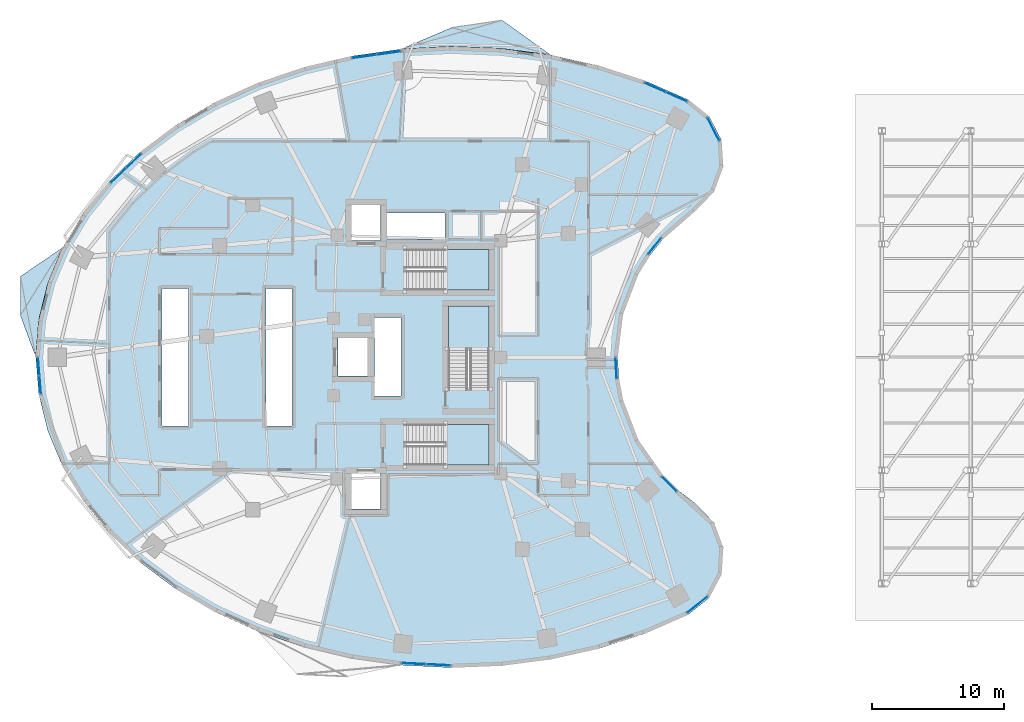
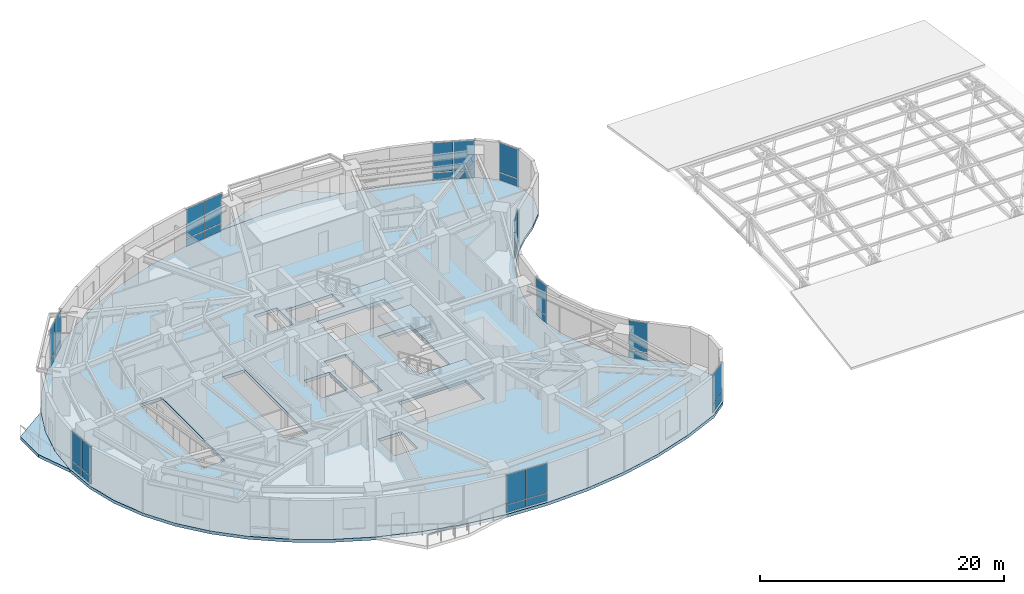
# One storey, part 9 of 17: 30 plates, 6 slabs, 13 elements without a shape of their own.
"""IFC4 building model written with IfcOpenShell, lengths in metres."""

from ifc_helpers import new_model, si_unit, direction, frame, origin, origin_2d, place, context, subcontext, project, spatial, polyline, rectangle, outline, extrude, material, layer, layer_set, type_object, element, aggregate, save


model = new_model("IFC4")

# Units and contexts
model_context = context("Model", 3, precision=1e-05, world=origin(), true_north=direction((0.0, 1.0)))
body_context = subcontext(model_context, "Body", "Model", "MODEL_VIEW")
ifc_project = project(units=[si_unit("LENGTHUNIT", "METRE"), si_unit("AREAUNIT", "SQUARE_METRE"), si_unit("VOLUMEUNIT", "CUBIC_METRE"), si_unit("PLANEANGLEUNIT", "RADIAN"), si_unit("MASSUNIT", "GRAM", prefix="KILO")], contexts=[model_context])

# Site, building, storey
site_placement = place(None, origin())
site = spatial("IfcSite", under=ifc_project, at=site_placement, CompositionType="ELEMENT")
building_placement = place(site_placement, origin())
building = spatial("IfcBuilding", under=site, at=building_placement, Name="Korentha Bioscience Tower", CompositionType="ELEMENT")
storey_placement = place(building_placement, frame((0.0, 0.0, 25.800048828125)))
storey = spatial("IfcBuildingStorey", under=building, at=storey_placement, Name="L05", CompositionType="ELEMENT", Elevation=25.800048828125)

# Curtain wall, plates
ifc_material_1 = material(Name="Thermally Broken Aluminium Frame", Category="aluminium")
ifc_layer_1 = layer(ifc_material_1, 0.219970703125, Name="Thermally Broken Aluminium Frame")
ifc_layer_set_1 = layer_set([ifc_layer_1], Name="Thermally Broken Aluminium Frame (CW-T1)")
curtain_wall_type = type_object("IfcCurtainWallType", Name="Standard Bioscience Lab Unitised Curtain Wall CW-T1", PredefinedType="USERDEFINED", material=ifc_layer_set_1)
curtain_wall_1_placement = place(storey_placement, origin())
curtain_wall_1 = element("IfcCurtainWall", 1, at=curtain_wall_1_placement, inside=storey, type_object=curtain_wall_type, Name="L05 Curtain Wall 01", ObjectType="UNITISED", PredefinedType="USERDEFINED")
ifc_material_2 = material(Name="Triple-Glazed Low-E Insulated Glass", Category="glass")
ifc_layer_2 = layer(ifc_material_2, 0.0439453125, Name="Triple-Glazed Low-E Insulated Glass")
ifc_layer_set_2 = layer_set([ifc_layer_2], Name="Triple-Glazed Low-E Insulated Glass (GL-44)")
plate_type = type_object("IfcPlateType", Name="Glazed Panel 44mm", PredefinedType="CURTAIN_PANEL", material=ifc_layer_set_2)
plate_1_placement = place(storey_placement, frame((50.893310546875, 46.780029296875, 0.08984375), z_axis=(0.0, 0.0, 1.0), x_axis=(-0.91593909057, 0.401317308828, 0.0)))
plate_1 = element("IfcPlate", 2, at=plate_1_placement, type_object=plate_type, Name="CW-L05-01 Bay 1 Glazed Panel 1", PredefinedType="CURTAIN_PANEL", context=body_context, shape_type="SweptSolid", body=[
    extrude(rectangle(XDim=1.701171875, YDim=0.0439453125, at=origin_2d()), origin(), (0.0, 0.0, 1.0), 0.715087890625),
])
plate_2_placement = place(storey_placement, frame((50.893310546875, 46.780029296875, 0.89501953125), z_axis=(0.0, 0.0, 1.0), x_axis=(-0.91593909057, 0.401317308828, 0.0)))
plate_2 = element("IfcPlate", 3, at=plate_2_placement, type_object=plate_type, Name="CW-L05-01 Bay 1 Glazed Panel 2", PredefinedType="CURTAIN_PANEL", context=body_context, shape_type="SweptSolid", body=[
    extrude(rectangle(XDim=1.701171875, YDim=0.0439453125, at=origin_2d()), origin(), (0.0, 0.0, 1.0), 2.9150390625),
])
plate_3_placement = place(storey_placement, frame((49.25244140625, 47.498779296875, 0.08984375), z_axis=(0.0, 0.0, 1.0), x_axis=(-0.91593909057, 0.401317308828, 0.0)))
plate_3 = element("IfcPlate", 4, at=plate_3_placement, type_object=plate_type, Name="CW-L05-01 Bay 2 Glazed Panel 1", PredefinedType="CURTAIN_PANEL", context=body_context, shape_type="SweptSolid", body=[
    extrude(rectangle(XDim=1.701171875, YDim=0.0439453125, at=origin_2d()), origin(), (0.0, 0.0, 1.0), 0.715087890625),
])
plate_4_placement = place(storey_placement, frame((49.25244140625, 47.498779296875, 0.89501953125), z_axis=(0.0, 0.0, 1.0), x_axis=(-0.91593909057, 0.401317308828, 0.0)))
plate_4 = element("IfcPlate", 5, at=plate_4_placement, type_object=plate_type, Name="CW-L05-01 Bay 2 Glazed Panel 2", PredefinedType="CURTAIN_PANEL", context=body_context, shape_type="SweptSolid", body=[
    extrude(rectangle(XDim=1.701171875, YDim=0.0439453125, at=origin_2d()), origin(), (0.0, 0.0, 1.0), 2.9150390625),
])
aggregate(curtain_wall_1, [plate_1, plate_2, plate_3, plate_4])

curtain_wall_2_placement = place(storey_placement, origin())
curtain_wall_2 = element("IfcCurtainWall", 6, at=curtain_wall_2_placement, inside=storey, type_object=curtain_wall_type, Name="L05 Curtain Wall 07", ObjectType="UNITISED", PredefinedType="USERDEFINED")
plate_5_placement = place(storey_placement, frame((29.0224609375, 50.11572265625, 0.08984375), z_axis=(0.0, 0.0, 1.0), x_axis=(-0.990167372968, -0.139887717511, 0.0)))
plate_5 = element("IfcPlate", 7, at=plate_5_placement, type_object=plate_type, Name="CW-L05-07 Bay 1 Glazed Panel 1", PredefinedType="CURTAIN_PANEL", context=body_context, shape_type="SweptSolid", body=[
    extrude(rectangle(XDim=1.800537109375, YDim=0.0439453125, at=origin_2d()), origin(), (0.0, 0.0, 1.0), 0.715087890625),
])
plate_6_placement = place(storey_placement, frame((29.0224609375, 50.11572265625, 0.89501953125), z_axis=(0.0, 0.0, 1.0), x_axis=(-0.990167372968, -0.139887717511, 0.0)))
plate_6 = element("IfcPlate", 8, at=plate_6_placement, type_object=plate_type, Name="CW-L05-07 Bay 1 Glazed Panel 2", PredefinedType="CURTAIN_PANEL", context=body_context, shape_type="SweptSolid", body=[
    extrude(rectangle(XDim=1.800537109375, YDim=0.0439453125, at=origin_2d()), origin(), (0.0, 0.0, 1.0), 2.9150390625),
])
plate_7_placement = place(storey_placement, frame((27.150634765625, 49.851318359375, 0.08984375), z_axis=(0.0, 0.0, 1.0), x_axis=(-0.990167372968, -0.139887717511, 0.0)))
plate_7 = element("IfcPlate", 9, at=plate_7_placement, type_object=plate_type, Name="CW-L05-07 Bay 2 Glazed Panel 1", PredefinedType="CURTAIN_PANEL", context=body_context, shape_type="SweptSolid", body=[
    extrude(rectangle(XDim=1.800537109375, YDim=0.0439453125, at=origin_2d()), origin(), (0.0, 0.0, 1.0), 0.715087890625),
])
plate_8_placement = place(storey_placement, frame((27.150634765625, 49.851318359375, 0.89501953125), z_axis=(0.0, 0.0, 1.0), x_axis=(-0.990167372968, -0.139887717511, 0.0)))
plate_8 = element("IfcPlate", 10, at=plate_8_placement, type_object=plate_type, Name="CW-L05-07 Bay 2 Glazed Panel 2", PredefinedType="CURTAIN_PANEL", context=body_context, shape_type="SweptSolid", body=[
    extrude(rectangle(XDim=1.800537109375, YDim=0.0439453125, at=origin_2d()), origin(), (0.0, 0.0, 1.0), 2.9150390625),
])
aggregate(curtain_wall_2, [plate_5, plate_6, plate_7, plate_8])

curtain_wall_3_placement = place(storey_placement, origin())
curtain_wall_3 = element("IfcCurtainWall", 11, at=curtain_wall_3_placement, inside=storey, type_object=curtain_wall_type, Name="L05 Curtain Wall 13", ObjectType="UNITISED", PredefinedType="USERDEFINED")
plate_9_placement = place(storey_placement, frame((9.643798828125, 41.9091796875, 0.08984375), z_axis=(0.0, 0.0, 1.0), x_axis=(-0.723641761581, -0.690175775361, 0.0)))
plate_9 = element("IfcPlate", 12, at=plate_9_placement, type_object=plate_type, Name="CW-L05-13 Bay 1 Glazed Panel 1", PredefinedType="CURTAIN_PANEL", context=body_context, shape_type="SweptSolid", body=[
    extrude(rectangle(XDim=1.5263671875, YDim=0.0439453125, at=origin_2d()), origin(), (0.0, 0.0, 1.0), 0.715087890625),
])
plate_10_placement = place(storey_placement, frame((9.643798828125, 41.9091796875, 0.89501953125), z_axis=(0.0, 0.0, 1.0), x_axis=(-0.723641761581, -0.690175775361, 0.0)))
plate_10 = element("IfcPlate", 13, at=plate_10_placement, type_object=plate_type, Name="CW-L05-13 Bay 1 Glazed Panel 2", PredefinedType="CURTAIN_PANEL", context=body_context, shape_type="SweptSolid", body=[
    extrude(rectangle(XDim=1.5263671875, YDim=0.0439453125, at=origin_2d()), origin(), (0.0, 0.0, 1.0), 2.9150390625),
])
plate_11_placement = place(storey_placement, frame((8.47412109375, 40.793701171875, 0.08984375), z_axis=(0.0, 0.0, 1.0), x_axis=(-0.723641761581, -0.690175775361, 0.0)))
plate_11 = element("IfcPlate", 14, at=plate_11_placement, type_object=plate_type, Name="CW-L05-13 Bay 2 Glazed Panel 1", PredefinedType="CURTAIN_PANEL", context=body_context, shape_type="SweptSolid", body=[
    extrude(rectangle(XDim=1.5263671875, YDim=0.0439453125, at=origin_2d()), origin(), (0.0, 0.0, 1.0), 0.715087890625),
])
plate_12_placement = place(storey_placement, frame((8.47412109375, 40.793701171875, 0.89501953125), z_axis=(0.0, 0.0, 1.0), x_axis=(-0.723641761581, -0.690175775361, 0.0)))
plate_12 = element("IfcPlate", 15, at=plate_12_placement, type_object=plate_type, Name="CW-L05-13 Bay 2 Glazed Panel 2", PredefinedType="CURTAIN_PANEL", context=body_context, shape_type="SweptSolid", body=[
    extrude(rectangle(XDim=1.5263671875, YDim=0.0439453125, at=origin_2d()), origin(), (0.0, 0.0, 1.0), 2.9150390625),
])
aggregate(curtain_wall_3, [plate_9, plate_10, plate_11, plate_12])

curtain_wall_4_placement = place(storey_placement, origin())
curtain_wall_4 = element("IfcCurtainWall", 16, at=curtain_wall_4_placement, inside=storey, type_object=curtain_wall_type, Name="L05 Curtain Wall 19", ObjectType="UNITISED", PredefinedType="USERDEFINED")
plate_13_placement = place(storey_placement, frame((2.4169921875, 26.302734375, 0.08984375), z_axis=(0.0, 0.0, 1.0), x_axis=(0.080820466375, -0.996728675325, 0.0)))
plate_13 = element("IfcPlate", 17, at=plate_13_placement, type_object=plate_type, Name="CW-L05-19 Bay 1 Glazed Panel 1", PredefinedType="CURTAIN_PANEL", context=body_context, shape_type="SweptSolid", body=[
    extrude(rectangle(XDim=1.324951171875, YDim=0.0439453125, at=origin_2d()), origin(), (0.0, 0.0, 1.0), 0.715087890625),
])
plate_14_placement = place(storey_placement, frame((2.4169921875, 26.302734375, 0.89501953125), z_axis=(0.0, 0.0, 1.0), x_axis=(0.080820466375, -0.996728675325, 0.0)))
plate_14 = element("IfcPlate", 18, at=plate_14_placement, type_object=plate_type, Name="CW-L05-19 Bay 1 Glazed Panel 2", PredefinedType="CURTAIN_PANEL", context=body_context, shape_type="SweptSolid", body=[
    extrude(rectangle(XDim=1.324951171875, YDim=0.0439453125, at=origin_2d()), origin(), (0.0, 0.0, 1.0), 2.9150390625),
])
plate_15_placement = place(storey_placement, frame((2.531494140625, 24.892333984375, 0.08984375), z_axis=(0.0, 0.0, 1.0), x_axis=(0.080820466375, -0.996728675325, 0.0)))
plate_15 = element("IfcPlate", 19, at=plate_15_placement, type_object=plate_type, Name="CW-L05-19 Bay 2 Glazed Panel 1", PredefinedType="CURTAIN_PANEL", context=body_context, shape_type="SweptSolid", body=[
    extrude(rectangle(XDim=1.324951171875, YDim=0.0439453125, at=origin_2d()), origin(), (0.0, 0.0, 1.0), 0.715087890625),
])
plate_16_placement = place(storey_placement, frame((2.531494140625, 24.892333984375, 0.89501953125), z_axis=(0.0, 0.0, 1.0), x_axis=(0.080820466375, -0.996728675325, 0.0)))
plate_16 = element("IfcPlate", 20, at=plate_16_placement, type_object=plate_type, Name="CW-L05-19 Bay 2 Glazed Panel 2", PredefinedType="CURTAIN_PANEL", context=body_context, shape_type="SweptSolid", body=[
    extrude(rectangle(XDim=1.324951171875, YDim=0.0439453125, at=origin_2d()), origin(), (0.0, 0.0, 1.0), 2.9150390625),
])
aggregate(curtain_wall_4, [plate_13, plate_14, plate_15, plate_16])

curtain_wall_5_placement = place(storey_placement, origin())
curtain_wall_5 = element("IfcCurtainWall", 21, at=curtain_wall_5_placement, inside=storey, type_object=curtain_wall_type, Name="L05 Curtain Wall 31", ObjectType="UNITISED", PredefinedType="USERDEFINED")
plate_17_placement = place(storey_placement, frame((30.90478515625, 3.70458984375, 0.08984375), z_axis=(0.0, 0.0, 1.0), x_axis=(0.998730551641, -0.050371472279, 0.0)))
plate_17 = element("IfcPlate", 22, at=plate_17_placement, type_object=plate_type, Name="CW-L05-31 Bay 1 Glazed Panel 1", PredefinedType="CURTAIN_PANEL", context=body_context, shape_type="SweptSolid", body=[
    extrude(rectangle(XDim=1.8134765625, YDim=0.0439453125, at=origin_2d()), origin(), (0.0, 0.0, 1.0), 0.715087890625),
])
plate_18_placement = place(storey_placement, frame((30.90478515625, 3.70458984375, 0.89501953125), z_axis=(0.0, 0.0, 1.0), x_axis=(0.998730551641, -0.050371472279, 0.0)))
plate_18 = element("IfcPlate", 23, at=plate_18_placement, type_object=plate_type, Name="CW-L05-31 Bay 1 Glazed Panel 2", PredefinedType="CURTAIN_PANEL", context=body_context, shape_type="SweptSolid", body=[
    extrude(rectangle(XDim=1.8134765625, YDim=0.0439453125, at=origin_2d()), origin(), (0.0, 0.0, 1.0), 2.9150390625),
])
plate_19_placement = place(storey_placement, frame((32.805908203125, 3.608642578125, 0.08984375), z_axis=(0.0, 0.0, 1.0), x_axis=(0.998730551641, -0.050371472279, 0.0)))
plate_19 = element("IfcPlate", 24, at=plate_19_placement, type_object=plate_type, Name="CW-L05-31 Bay 2 Glazed Panel 1", PredefinedType="CURTAIN_PANEL", context=body_context, shape_type="SweptSolid", body=[
    extrude(rectangle(XDim=1.8134765625, YDim=0.0439453125, at=origin_2d()), origin(), (0.0, 0.0, 1.0), 0.715087890625),
])
plate_20_placement = place(storey_placement, frame((32.805908203125, 3.608642578125, 0.89501953125), z_axis=(0.0, 0.0, 1.0), x_axis=(0.998730551641, -0.050371472279, 0.0)))
plate_20 = element("IfcPlate", 25, at=plate_20_placement, type_object=plate_type, Name="CW-L05-31 Bay 2 Glazed Panel 2", PredefinedType="CURTAIN_PANEL", context=body_context, shape_type="SweptSolid", body=[
    extrude(rectangle(XDim=1.8134765625, YDim=0.0439453125, at=origin_2d()), origin(), (0.0, 0.0, 1.0), 2.9150390625),
])
aggregate(curtain_wall_5, [plate_17, plate_18, plate_19, plate_20])

curtain_wall_6_placement = place(storey_placement, origin())
curtain_wall_6 = element("IfcCurtainWall", 26, at=curtain_wall_6_placement, inside=storey, type_object=curtain_wall_type, Name="L05 Curtain Wall 37", ObjectType="UNITISED", PredefinedType="USERDEFINED")
plate_21_placement = place(storey_placement, frame((52.4755859375, 8.19140625, 0.08984375), z_axis=(0.0, 0.0, 1.0), x_axis=(0.782287851332, 0.62291710336, 0.0)))
plate_21 = element("IfcPlate", 27, at=plate_21_placement, type_object=plate_type, Name="CW-L05-37 Bay 1 Glazed Panel 1", PredefinedType="CURTAIN_PANEL", context=body_context, shape_type="SweptSolid", body=[
    extrude(rectangle(XDim=1.927734375, YDim=0.0439453125, at=origin_2d()), origin(), (0.0, 0.0, 1.0), 0.715087890625),
])
plate_22_placement = place(storey_placement, frame((52.4755859375, 8.19140625, 0.89501953125), z_axis=(0.0, 0.0, 1.0), x_axis=(0.782287851332, 0.62291710336, 0.0)))
plate_22 = element("IfcPlate", 28, at=plate_22_placement, type_object=plate_type, Name="CW-L05-37 Bay 1 Glazed Panel 2", PredefinedType="CURTAIN_PANEL", context=body_context, shape_type="SweptSolid", body=[
    extrude(rectangle(XDim=1.927734375, YDim=0.0439453125, at=origin_2d()), origin(), (0.0, 0.0, 1.0), 2.9150390625),
])
aggregate(curtain_wall_6, [plate_21, plate_22])

curtain_wall_7_placement = place(storey_placement, origin())
curtain_wall_7 = element("IfcCurtainWall", 29, at=curtain_wall_7_placement, inside=storey, type_object=curtain_wall_type, Name="L05 Curtain Wall 43", ObjectType="UNITISED", PredefinedType="USERDEFINED")
plate_23_placement = place(storey_placement, frame((50.333251953125, 17.335693359375, 0.08984375), z_axis=(0.0, 0.0, 1.0), x_axis=(-0.713279246754, 0.700879958445, 0.0)))
plate_23 = element("IfcPlate", 30, at=plate_23_placement, type_object=plate_type, Name="CW-L05-43 Bay 1 Glazed Panel 1", PredefinedType="CURTAIN_PANEL", context=body_context, shape_type="SweptSolid", body=[
    extrude(rectangle(XDim=1.537841796875, YDim=0.0439453125, at=origin_2d()), origin(), (0.0, 0.0, 1.0), 0.715087890625),
])
plate_24_placement = place(storey_placement, frame((50.333251953125, 17.335693359375, 0.89501953125), z_axis=(0.0, 0.0, 1.0), x_axis=(-0.713279246754, 0.700879958445, 0.0)))
plate_24 = element("IfcPlate", 31, at=plate_24_placement, type_object=plate_type, Name="CW-L05-43 Bay 1 Glazed Panel 2", PredefinedType="CURTAIN_PANEL", context=body_context, shape_type="SweptSolid", body=[
    extrude(rectangle(XDim=1.537841796875, YDim=0.0439453125, at=origin_2d()), origin(), (0.0, 0.0, 1.0), 2.9150390625),
])
aggregate(curtain_wall_7, [plate_23, plate_24])

curtain_wall_8_placement = place(storey_placement, origin())
curtain_wall_8 = element("IfcCurtainWall", 32, at=curtain_wall_8_placement, inside=storey, type_object=curtain_wall_type, Name="L05 Curtain Wall 49", ObjectType="UNITISED", PredefinedType="USERDEFINED")
plate_25_placement = place(storey_placement, frame((46.305908203125, 26.1728515625, 0.08984375), z_axis=(0.0, 0.0, 1.0), x_axis=(-0.061008272998, 0.998137260413, 0.0)))
plate_25 = element("IfcPlate", 33, at=plate_25_placement, type_object=plate_type, Name="CW-L05-49 Bay 1 Glazed Panel 1", PredefinedType="CURTAIN_PANEL", context=body_context, shape_type="SweptSolid", body=[
    extrude(rectangle(XDim=1.537841796875, YDim=0.0439453125, at=origin_2d()), origin(), (0.0, 0.0, 1.0), 0.715087890625),
])
plate_26_placement = place(storey_placement, frame((46.305908203125, 26.1728515625, 0.89501953125), z_axis=(0.0, 0.0, 1.0), x_axis=(-0.061008272998, 0.998137260413, 0.0)))
plate_26 = element("IfcPlate", 34, at=plate_26_placement, type_object=plate_type, Name="CW-L05-49 Bay 1 Glazed Panel 2", PredefinedType="CURTAIN_PANEL", context=body_context, shape_type="SweptSolid", body=[
    extrude(rectangle(XDim=1.537841796875, YDim=0.0439453125, at=origin_2d()), origin(), (0.0, 0.0, 1.0), 2.9150390625),
])
aggregate(curtain_wall_8, [plate_25, plate_26])

curtain_wall_9_placement = place(storey_placement, origin())
curtain_wall_9 = element("IfcCurtainWall", 35, at=curtain_wall_9_placement, inside=storey, type_object=curtain_wall_type, Name="L05 Curtain Wall 55", ObjectType="UNITISED", PredefinedType="USERDEFINED")
plate_27_placement = place(storey_placement, frame((49.226318359375, 35.434814453125, 0.08984375), z_axis=(0.0, 0.0, 1.0), x_axis=(0.622520324648, 0.782603632371, 0.0)))
plate_27 = element("IfcPlate", 36, at=plate_27_placement, type_object=plate_type, Name="CW-L05-55 Bay 1 Glazed Panel 1", PredefinedType="CURTAIN_PANEL", context=body_context, shape_type="SweptSolid", body=[
    extrude(rectangle(XDim=1.537841796875, YDim=0.0439453125, at=origin_2d()), origin(), (0.0, 0.0, 1.0), 0.715087890625),
])
plate_28_placement = place(storey_placement, frame((49.226318359375, 35.434814453125, 0.89501953125), z_axis=(0.0, 0.0, 1.0), x_axis=(0.622520324648, 0.782603632371, 0.0)))
plate_28 = element("IfcPlate", 37, at=plate_28_placement, type_object=plate_type, Name="CW-L05-55 Bay 1 Glazed Panel 2", PredefinedType="CURTAIN_PANEL", context=body_context, shape_type="SweptSolid", body=[
    extrude(rectangle(XDim=1.537841796875, YDim=0.0439453125, at=origin_2d()), origin(), (0.0, 0.0, 1.0), 2.9150390625),
])
aggregate(curtain_wall_9, [plate_27, plate_28])

curtain_wall_10_placement = place(storey_placement, origin())
curtain_wall_10 = element("IfcCurtainWall", 38, at=curtain_wall_10_placement, inside=storey, type_object=curtain_wall_type, Name="L05 Curtain Wall 61", ObjectType="UNITISED", PredefinedType="USERDEFINED")
plate_29_placement = place(storey_placement, frame((53.6962890625, 44.32958984375, 0.08984375), z_axis=(0.0, 0.0, 1.0), x_axis=(-0.463008597697, 0.886353788539, 0.0)))
plate_29 = element("IfcPlate", 39, at=plate_29_placement, type_object=plate_type, Name="CW-L05-61 Bay 1 Glazed Panel 1", PredefinedType="CURTAIN_PANEL", context=body_context, shape_type="SweptSolid", body=[
    extrude(rectangle(XDim=1.927734375, YDim=0.0439453125, at=origin_2d()), origin(), (0.0, 0.0, 1.0), 0.715087890625),
])
plate_30_placement = place(storey_placement, frame((53.6962890625, 44.32958984375, 0.89501953125), z_axis=(0.0, 0.0, 1.0), x_axis=(-0.463008597697, 0.886353788539, 0.0)))
plate_30 = element("IfcPlate", 40, at=plate_30_placement, type_object=plate_type, Name="CW-L05-61 Bay 1 Glazed Panel 2", PredefinedType="CURTAIN_PANEL", context=body_context, shape_type="SweptSolid", body=[
    extrude(rectangle(XDim=1.927734375, YDim=0.0439453125, at=origin_2d()), origin(), (0.0, 0.0, 1.0), 2.9150390625),
])
aggregate(curtain_wall_10, [plate_29, plate_30])

# Slab
ifc_material_3 = material(Name="Concrete C50", Category="concrete")
ifc_layer_3 = layer(ifc_material_3, 0.300048828125, Name="Concrete C50")
ifc_layer_set_3 = layer_set([ifc_layer_3], Name="Concrete C50 (SL-L300)")
slab_type_1 = type_object("IfcSlabType", Name="Laboratory Vibration-Controlled Slab 300", PredefinedType="FLOOR", material=ifc_layer_set_3)
slab_1_placement = place(storey_placement, frame((0.0, 0.0, -0.300048828125)))
element("IfcSlab", 41, at=slab_1_placement, inside=storey, type_object=slab_type_1, Name="L05 Tower Structural Floor Slab", PredefinedType="FLOOR", context=body_context, shape_type="SweptSolid", body=[
    extrude(outline(polyline([(51.7822265625, 46.565185546875), (48.49169921875, 48.0068359375), (44.9921875, 49.145263671875), (41.33349609375, 49.9638671875), (37.569091796875, 50.450927734375), (33.75341796875, 50.599365234375), (29.94091796875, 50.406982421875), (26.187255859375, 49.876708984375), (22.54638671875, 49.01611328125), (19.07080078125, 47.837646484375), (15.810791015625, 46.358154296875), (12.8134765625, 44.599365234375), (10.1220703125, 42.58642578125), (7.775390625, 40.348388671875), (5.807373046875, 37.91748046875), (4.246337890625, 35.3291015625), (3.114990234375, 32.62060546875), (2.4296875, 29.830810546875), (2.199951171875, 27.0), (2.4296875, 24.169189453125), (3.114990234375, 21.37939453125), (4.246337890625, 18.6708984375), (5.807373046875, 16.08251953125), (7.775390625, 13.651611328125), (10.1220703125, 11.41357421875), (12.8134765625, 9.400634765625), (15.810791015625, 7.641845703125), (19.07080078125, 6.162353515625), (22.54638671875, 4.98388671875), (26.187255859375, 4.123291015625), (29.94091796875, 3.593017578125), (33.75341796875, 3.400634765625), (37.569091796875, 3.549072265625), (41.33349609375, 4.0361328125), (44.9921875, 4.854736328125), (48.49169921875, 5.9931640625), (51.7822265625, 7.434814453125), (53.368408203125, 8.69775390625), (54.307373046875, 10.4951171875), (54.4384765625, 12.518310546875), (53.739013671875, 14.421630859375), (52.3291015625, 15.878662109375), (51.029541015625, 16.875732421875), (49.861328125, 18.023681640625), (48.841796875, 19.3056640625), (47.98583984375, 20.7021484375), (47.306640625, 22.192626953125), (46.814208984375, 23.754638671875), (46.515625, 25.365234375), (46.415771484375, 27.0), (46.515625, 28.634765625), (46.814208984375, 30.245361328125), (47.306640625, 31.807373046875), (47.98583984375, 33.2978515625), (48.841796875, 34.6943359375), (49.861328125, 35.976318359375), (51.029541015625, 37.124267578125), (52.3291015625, 38.121337890625), (53.739013671875, 39.578369140625), (54.4384765625, 41.481689453125), (54.307373046875, 43.5048828125), (53.368408203125, 45.30224609375), (51.7822265625, 46.565185546875)]), holes=[polyline([(30.25, 32.10009765625), (36.64990234375, 32.10009765625), (36.64990234375, 35.199951171875), (30.25, 35.199951171875), (30.25, 32.10009765625)]), polyline([(30.25, 18.800048828125), (36.64990234375, 18.800048828125), (36.64990234375, 21.89990234375), (30.25, 21.89990234375), (30.25, 18.800048828125)]), polyline([(36.64990234375, 24.550048828125), (36.64990234375, 30.89990234375), (33.550048828125, 30.89990234375), (33.550048828125, 24.550048828125), (36.64990234375, 24.550048828125)]), polyline([(11.780029296875, 21.780029296875), (13.820068359375, 21.780029296875), (13.820068359375, 32.219970703125), (11.780029296875, 32.219970703125), (11.780029296875, 21.780029296875)]), polyline([(19.679931640625, 21.780029296875), (21.669921875, 21.780029296875), (21.669921875, 32.219970703125), (19.679931640625, 32.219970703125), (19.679931640625, 21.780029296875)]), polyline([(27.929931640625, 24.030029296875), (29.969970703125, 24.030029296875), (29.969970703125, 30.02001953125), (27.929931640625, 30.02001953125), (27.929931640625, 24.030029296875)]), polyline([(28.860107421875, 35.93994140625), (33.31005859375, 35.93994140625), (33.31005859375, 37.9599609375), (28.860107421875, 37.9599609375), (28.860107421875, 35.93994140625)]), polyline([(26.199951171875, 15.449951171875), (28.39990234375, 15.449951171875), (28.39990234375, 18.14990234375), (26.199951171875, 18.14990234375), (26.199951171875, 15.449951171875)]), polyline([(26.199951171875, 35.85009765625), (28.39990234375, 35.85009765625), (28.39990234375, 38.550048828125), (26.199951171875, 38.550048828125), (26.199951171875, 35.85009765625)]), polyline([(25.14990234375, 25.550048828125), (27.550048828125, 25.550048828125), (27.550048828125, 28.449951171875), (25.14990234375, 28.449951171875), (25.14990234375, 25.550048828125)])]), origin(), (0.0, 0.0, 1.0), 0.300048828125),
])

# Stair, slab
ifc_material_4 = material(Name="Precast Concrete C50", Category="concrete")
stair_type = type_object("IfcStairType", Name="Core Exit Dog-Leg Stair 1450", PredefinedType="HALF_TURN_STAIR", material=ifc_material_4)
stair_1_placement = place(storey_placement, origin())
stair_1 = element("IfcStair", 42, at=stair_1_placement, inside=storey, type_object=stair_type, Name="L05 Tower North Pressurized Exit Stair ST-1", PredefinedType="HALF_TURN_STAIR")
ifc_layer_4 = layer(ifc_material_3, 0.199951171875, Name="Concrete C50")
ifc_layer_set_4 = layer_set([ifc_layer_4], Name="Concrete C50 (SL-LND)")
slab_type_2 = type_object("IfcSlabType", Name="Landing Slab 200", PredefinedType="LANDING", material=ifc_layer_set_4)
slab_2_placement = place(storey_placement, frame((0.0, 0.0, 1.89990234375)))
slab_2 = element("IfcSlab", 43, at=slab_2_placement, type_object=slab_type_2, Name="ST-1 landing 1", PredefinedType="LANDING", context=body_context, shape_type="SweptSolid", body=[
    extrude(outline(polyline([(33.330078125, 32.10009765625), (36.64990234375, 32.10009765625), (36.64990234375, 35.199951171875), (33.330078125, 35.199951171875), (33.330078125, 32.10009765625)])), origin(), (0.0, 0.0, 1.0), 0.199951171875),
])
aggregate(stair_1, [slab_2])

stair_2_placement = place(storey_placement, origin())
stair_2 = element("IfcStair", 44, at=stair_2_placement, inside=storey, type_object=stair_type, Name="L05 Tower South Pressurized Exit Stair ST-2", PredefinedType="HALF_TURN_STAIR")
slab_3_placement = place(storey_placement, frame((0.0, 0.0, 1.89990234375)))
slab_3 = element("IfcSlab", 45, at=slab_3_placement, type_object=slab_type_2, Name="ST-2 landing 1", PredefinedType="LANDING", context=body_context, shape_type="SweptSolid", body=[
    extrude(outline(polyline([(33.330078125, 18.800048828125), (36.64990234375, 18.800048828125), (36.64990234375, 21.89990234375), (33.330078125, 21.89990234375), (33.330078125, 18.800048828125)])), origin(), (0.0, 0.0, 1.0), 0.199951171875),
])
aggregate(stair_2, [slab_3])

stair_3_placement = place(storey_placement, origin())
stair_3 = element("IfcStair", 46, at=stair_3_placement, inside=storey, type_object=stair_type, Name="L05 Tower Central Pressurized Exit Stair ST-3", PredefinedType="HALF_TURN_STAIR")
slab_4_placement = place(storey_placement, frame((0.0, 0.0, 1.89990234375)))
slab_4 = element("IfcSlab", 47, at=slab_4_placement, type_object=slab_type_2, Name="ST-3 landing 1", PredefinedType="LANDING", context=body_context, shape_type="SweptSolid", body=[
    extrude(outline(polyline([(36.64990234375, 27.6298828125), (36.64990234375, 30.89990234375), (33.550048828125, 30.89990234375), (33.550048828125, 27.6298828125), (36.64990234375, 27.6298828125)])), origin(), (0.0, 0.0, 1.0), 0.199951171875),
])
aggregate(stair_3, [slab_4])

# Slabs
ifc_layer_5 = layer(ifc_material_3, 0.300048828125, Name="Concrete C50")
ifc_layer_set_5 = layer_set([ifc_layer_5], Name="Concrete C50 (BS-240)")
slab_type_3 = type_object("IfcSlabType", Name="Sawtooth Sun-Ledge Balcony Slab 240", PredefinedType="USERDEFINED", material=ifc_layer_set_5)
slab_5_placement = place(storey_placement, frame((0.0, 0.0, -0.300048828125)))
element("IfcSlab", 48, at=slab_5_placement, inside=storey, type_object=slab_type_3, Name="L05 Sun-Ledge Balcony 01", ObjectType="BALCONY", PredefinedType="USERDEFINED", context=body_context, shape_type="SweptSolid", body=[
    extrude(outline(polyline([(29.94091796875, 50.406982421875), (33.75341796875, 50.599365234375), (37.569091796875, 50.450927734375), (41.33349609375, 49.9638671875), (37.65283203125, 52.599365234375), (33.809814453125, 52.048095703125), (29.94091796875, 50.406982421875)])), origin(), (0.0, 0.0, 1.0), 0.300048828125),
])
slab_6_placement = place(storey_placement, frame((0.0, 0.0, -0.300048828125)))
element("IfcSlab", 49, at=slab_6_placement, inside=storey, type_object=slab_type_3, Name="L05 Sun-Ledge Balcony 02", ObjectType="BALCONY", PredefinedType="USERDEFINED", context=body_context, shape_type="SweptSolid", body=[
    extrude(outline(polyline([(2.199951171875, 27.0), (2.4296875, 29.830810546875), (3.114990234375, 32.62060546875), (4.246337890625, 35.3291015625), (1.027099609375, 33.133544921875), (1.021484375, 30.176513671875), (2.199951171875, 27.0)])), origin(), (0.0, 0.0, 1.0), 0.300048828125),
])

save(model, "model.ifc")
